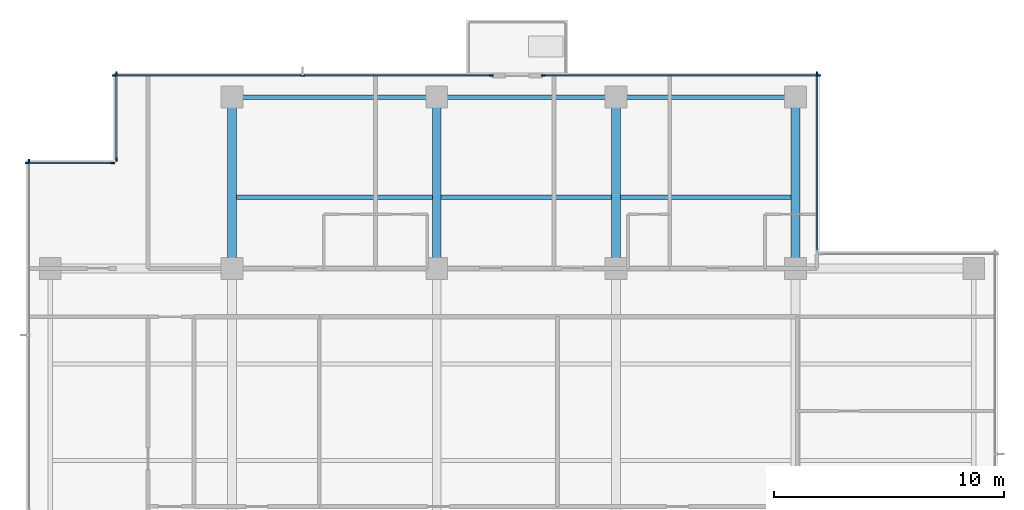
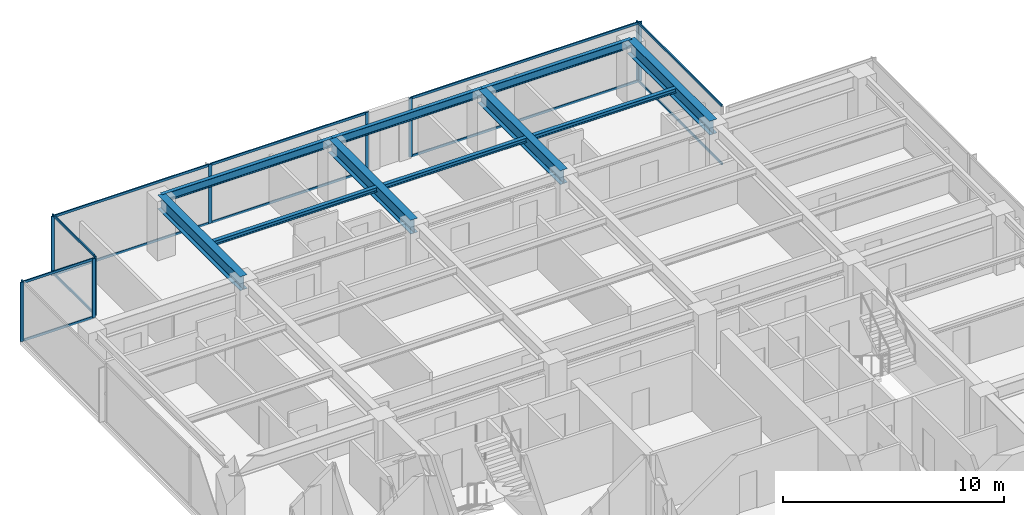
# One storey, part 5 of 15: 23 members, 10 beams, 6 elements without a shape of their own.
"""IFC4 building model written with IfcOpenShell, lengths in metres."""

from ifc_helpers import new_model, si_unit, direction, frame, origin, origin_2d, place, context, subcontext, project, spatial, rectangle, i_section, extrude, material, layer, layer_set, material_profile, profile_set, type_object, element, aggregate, save


model = new_model("IFC4")

# Units and contexts
model_context = context("Model", 3, precision=1e-05, world=origin(), true_north=direction((0.0, 1.0)))
body_context = subcontext(model_context, "Body", "Model", "MODEL_VIEW")
ifc_project = project(units=[si_unit("LENGTHUNIT", "METRE"), si_unit("AREAUNIT", "SQUARE_METRE"), si_unit("VOLUMEUNIT", "CUBIC_METRE"), si_unit("PLANEANGLEUNIT", "RADIAN"), si_unit("MASSUNIT", "GRAM", prefix="KILO")], contexts=[model_context])

# Site, building, storey
site_placement = place(None, origin())
site = spatial("IfcSite", under=ifc_project, at=site_placement, CompositionType="ELEMENT")
building_placement = place(site_placement, origin())
building = spatial("IfcBuilding", under=site, at=building_placement, Name="Qalmaran Belvedere Hotel", CompositionType="ELEMENT")
storey_placement = place(building_placement, frame((0.0, 0.0, 231.89990234375)))
storey = spatial("IfcBuildingStorey", under=building, at=storey_placement, Name="L59", CompositionType="ELEMENT", Elevation=231.89990234375)

# Beams
ifc_material_1 = material(Name="Steel S355JR", Category="steel")
ifc_material_profile_1 = material_profile(ifc_material_1, i_section(OverallWidth=0.201904296875, OverallDepth=0.2470703125, WebThickness=0.00732421875, FlangeThickness=0.010986328125, FilletRadius=0.011962890625, at=origin_2d()), Name="W250X49")
ifc_profile_set_1 = profile_set([ifc_material_profile_1], Name="Steel S355JR")
beam_type_1 = type_object("IfcBeamType", Name="BM-JST-W250X49", PredefinedType="JOIST", material=ifc_profile_set_1)
beam_1_placement = place(storey_placement, frame((20.488525390625, 36.10009765625, 3.13671875), z_axis=(1.0, 0.0, 0.0), x_axis=(0.0, 1.0, 0.0)))
element("IfcBeam", 1, at=beam_1_placement, inside=storey, type_object=beam_type_1, Name="L59 North Floor Joist 042", PredefinedType="JOIST", context=body_context, shape_type="SweptSolid", body=[
    extrude(i_section(OverallWidth=0.201904296875, OverallDepth=0.2470703125, WebThickness=0.00732421875, FlangeThickness=0.010986328125, FilletRadius=0.011962890625, at=origin_2d()), origin(), (0.0, 0.0, 1.0), 8.52294921875),
])
for number, where, z_axis, x_axis, name in (
    (2, (29.388427734375, 36.10009765625, 3.13671875), (1.0, 0.0, 0.0), (0.0, 1.0, 0.0), "L59 North Floor Joist 043"),
    (3, (37.1884765625, 36.10009765625, 3.13671875), (1.0, 0.0, 0.0), (0.0, 1.0, 0.0), "L59 North Floor Joist 044"),
):
    element("IfcBeam", number, at=place(storey_placement, frame(where, z_axis=z_axis, x_axis=x_axis)), inside=storey, type_object=beam_type_1, Name=name, PredefinedType="JOIST", context=body_context, shape_type="SweptSolid", body=[
        extrude(i_section(OverallWidth=0.201904296875, OverallDepth=0.2470703125, WebThickness=0.00732421875, FlangeThickness=0.010986328125, FilletRadius=0.011962890625, at=origin_2d()), origin(), (0.0, 0.0, 1.0), 7.423095703125),
    ])
ifc_material_profile_2 = material_profile(ifc_material_1, i_section(OverallWidth=0.381103515625, OverallDepth=0.77294921875, WebThickness=0.0166015625, FlangeThickness=0.027099609375, FilletRadius=0.02197265625, at=origin_2d()), Name="W760X257")
ifc_profile_set_2 = profile_set([ifc_material_profile_2], Name="Steel S355JR")
beam_type_2 = type_object("IfcBeamType", Name="BM-PG4-W760X257", PredefinedType="USERDEFINED", material=ifc_profile_set_2)
for number, where, z_axis, x_axis, name in (
    (4, (20.300048828125, 33.0, 2.87353515625), (0.0, 1.0, 0.0), (-1.0, 0.0, 0.0), "L59 North Bay Girder 15"),
    (5, (29.199951171875, 33.0, 2.87353515625), (0.0, 1.0, 0.0), (-1.0, 0.0, 0.0), "L59 North Bay Girder 17"),
    (6, (37.0, 33.0, 2.87353515625), (0.0, 1.0, 0.0), (-1.0, 0.0, 0.0), "L59 North Bay Girder 19"),
    (7, (44.800048828125, 33.0, 2.87353515625), (0.0, 1.0, 0.0), (-1.0, 0.0, 0.0), "L59 North Bay Girder 21"),
):
    element("IfcBeam", number, at=place(storey_placement, frame(where, z_axis=z_axis, x_axis=x_axis)), inside=storey, type_object=beam_type_2, Name=name, ObjectType="GIRDER", PredefinedType="USERDEFINED", context=body_context, shape_type="SweptSolid", body=[
        extrude(i_section(OverallWidth=0.381103515625, OverallDepth=0.77294921875, WebThickness=0.0166015625, FlangeThickness=0.027099609375, FilletRadius=0.02197265625, at=origin_2d()), origin(), (0.0, 0.0, 1.0), 7.449951171875),
    ])
ifc_material_profile_3 = material_profile(ifc_material_1, i_section(OverallWidth=0.19189453125, OverallDepth=0.462890625, WebThickness=0.010498046875, FlangeThickness=0.017578125, FilletRadius=0.01611328125, at=origin_2d()), Name="W460X89")
ifc_profile_set_3 = profile_set([ifc_material_profile_3], Name="Steel S355JR")
beam_type_3 = type_object("IfcBeamType", Name="BM-SP2-W460X89", PredefinedType="SPANDREL", material=ifc_profile_set_3)
beam_2_placement = place(storey_placement, frame((20.300048828125, 40.449951171875, 3.028564453125), z_axis=(1.0, 0.0, 0.0), x_axis=(0.0, 1.0, 0.0)))
element("IfcBeam", 8, at=beam_2_placement, inside=storey, type_object=beam_type_3, Name="L59 Perimeter Spandrel 05", PredefinedType="SPANDREL", context=body_context, shape_type="SweptSolid", body=[
    extrude(i_section(OverallWidth=0.19189453125, OverallDepth=0.462890625, WebThickness=0.010498046875, FlangeThickness=0.017578125, FilletRadius=0.01611328125, at=origin_2d()), origin(), (0.0, 0.0, 1.0), 8.89990234375),
])
for number, where, z_axis, x_axis, name in (
    (9, (29.199951171875, 40.449951171875, 3.028564453125), (1.0, 0.0, 0.0), (0.0, 1.0, 0.0), "L59 Perimeter Spandrel 06"),
    (10, (37.0, 40.449951171875, 3.028564453125), (1.0, 0.0, 0.0), (0.0, 1.0, 0.0), "L59 Perimeter Spandrel 07"),
):
    element("IfcBeam", number, at=place(storey_placement, frame(where, z_axis=z_axis, x_axis=x_axis)), inside=storey, type_object=beam_type_3, Name=name, PredefinedType="SPANDREL", context=body_context, shape_type="SweptSolid", body=[
        extrude(i_section(OverallWidth=0.19189453125, OverallDepth=0.462890625, WebThickness=0.010498046875, FlangeThickness=0.017578125, FilletRadius=0.01611328125, at=origin_2d()), origin(), (0.0, 0.0, 1.0), 7.800048828125),
    ])

# Curtain wall, member
ifc_material_2 = material(Name="Anodised Bronze Aluminium", Category="aluminium")
ifc_layer = layer(ifc_material_2, 0.18994140625, Name="Anodised Bronze Aluminium")
ifc_layer_set = layer_set([ifc_layer], Name="Anodised Bronze Aluminium")
curtain_wall_type = type_object("IfcCurtainWallType", Name="CW5-TOWER-UPPER", PredefinedType="NOTDEFINED", material=ifc_layer_set)
curtain_wall_1_placement = place(storey_placement, origin())
curtain_wall_1 = element("IfcCurtainWall", 11, at=curtain_wall_1_placement, inside=storey, type_object=curtain_wall_type, Name="L59 Curtain Wall CW5", PredefinedType="NOTDEFINED")
ifc_material_profile_4 = material_profile(ifc_material_2, rectangle(XDim=0.06494140625, YDim=0.1650390625, at=origin_2d()), Name="CWM65X165")
ifc_profile_set_4 = profile_set([ifc_material_profile_4], Name="Anodised Bronze Aluminium")
member_type_1 = type_object("IfcMemberType", Name="CWM-65X165", PredefinedType="MULLION", material=ifc_profile_set_4)
member_1_placement = place(storey_placement, frame((45.72998046875, 41.467529296875, 0.0), z_axis=(0.0, 0.0, 1.0), x_axis=(-1.0, 0.0, 0.0)))
member_1 = element("IfcMember", 12, at=member_1_placement, type_object=member_type_1, Name="CW5 mullion 2", PredefinedType="MULLION", context=body_context, shape_type="SweptSolid", body=[
    extrude(rectangle(XDim=0.06494140625, YDim=0.1650390625, at=origin_2d()), origin(), (0.0, 0.0, 1.0), 3.260009765625),
])

# Curtain wall, members
curtain_wall_2_placement = place(storey_placement, origin())
curtain_wall_2 = element("IfcCurtainWall", 13, at=curtain_wall_2_placement, inside=storey, type_object=curtain_wall_type, Name="L59 Curtain Wall CW5", PredefinedType="NOTDEFINED")
member_2_placement = place(storey_placement, frame((31.5673828125, 41.3798828125, 0.0), z_axis=(0.0, 0.0, 1.0), x_axis=(0.0, -1.0, 0.0)))
member_2 = element("IfcMember", 14, at=member_2_placement, type_object=member_type_1, Name="CW5 mullion 1", PredefinedType="MULLION", context=body_context, shape_type="SweptSolid", body=[
    extrude(rectangle(XDim=0.06494140625, YDim=0.1650390625, at=origin_2d()), origin(), (0.0, 0.0, 1.0), 3.260009765625),
])
member_3_placement = place(storey_placement, frame((23.375, 41.3798828125, 0.0), z_axis=(0.0, 0.0, 1.0), x_axis=(0.0, -1.0, 0.0)))
member_3 = element("IfcMember", 15, at=member_3_placement, type_object=member_type_1, Name="CW5 mullion 2", PredefinedType="MULLION", context=body_context, shape_type="SweptSolid", body=[
    extrude(rectangle(XDim=0.06494140625, YDim=0.1650390625, at=origin_2d()), origin(), (0.0, 0.0, 1.0), 3.260009765625),
])
member_4_placement = place(storey_placement, frame((15.1826171875, 41.3798828125, 0.0), z_axis=(0.0, 0.0, 1.0), x_axis=(0.0, -1.0, 0.0)))
member_4 = element("IfcMember", 16, at=member_4_placement, type_object=member_type_1, Name="CW5 mullion 3", PredefinedType="MULLION", context=body_context, shape_type="SweptSolid", body=[
    extrude(rectangle(XDim=0.06494140625, YDim=0.1650390625, at=origin_2d()), origin(), (0.0, 0.0, 1.0), 3.260009765625),
])

curtain_wall_3_placement = place(storey_placement, origin())
curtain_wall_3 = element("IfcCurtainWall", 17, at=curtain_wall_3_placement, inside=storey, type_object=curtain_wall_type, Name="L59 Curtain Wall CW5", PredefinedType="NOTDEFINED")
member_5_placement = place(storey_placement, frame((45.8173828125, 41.3798828125, 0.0), z_axis=(0.0, 0.0, 1.0), x_axis=(0.0, -1.0, 0.0)))
member_5 = element("IfcMember", 18, at=member_5_placement, type_object=member_type_1, Name="CW5 mullion 1", PredefinedType="MULLION", context=body_context, shape_type="SweptSolid", body=[
    extrude(rectangle(XDim=0.06494140625, YDim=0.1650390625, at=origin_2d()), origin(), (0.0, 0.0, 1.0), 3.260009765625),
])
member_6_placement = place(storey_placement, frame((33.83251953125, 41.3798828125, 0.0), z_axis=(0.0, 0.0, 1.0), x_axis=(0.0, -1.0, 0.0)))
member_6 = element("IfcMember", 19, at=member_6_placement, type_object=member_type_1, Name="CW5 mullion 2", PredefinedType="MULLION", context=body_context, shape_type="SweptSolid", body=[
    extrude(rectangle(XDim=0.06494140625, YDim=0.1650390625, at=origin_2d()), origin(), (0.0, 0.0, 1.0), 3.260009765625),
])

curtain_wall_4_placement = place(storey_placement, origin())
curtain_wall_4 = element("IfcCurtainWall", 20, at=curtain_wall_4_placement, inside=storey, type_object=curtain_wall_type, Name="L59 Curtain Wall CW5", PredefinedType="NOTDEFINED")
member_7_placement = place(storey_placement, frame((15.27001953125, 41.467529296875, 0.0), z_axis=(0.0, 0.0, 1.0), x_axis=(1.0, 0.0, 0.0)))
member_7 = element("IfcMember", 21, at=member_7_placement, type_object=member_type_1, Name="CW5 mullion 1", PredefinedType="MULLION", context=body_context, shape_type="SweptSolid", body=[
    extrude(rectangle(XDim=0.06494140625, YDim=0.1650390625, at=origin_2d()), origin(), (0.0, 0.0, 1.0), 3.260009765625),
])
member_8_placement = place(storey_placement, frame((15.27001953125, 37.732421875, 0.0), z_axis=(0.0, 0.0, 1.0), x_axis=(1.0, 0.0, 0.0)))
member_8 = element("IfcMember", 22, at=member_8_placement, type_object=member_type_1, Name="CW5 mullion 2", PredefinedType="MULLION", context=body_context, shape_type="SweptSolid", body=[
    extrude(rectangle(XDim=0.06494140625, YDim=0.1650390625, at=origin_2d()), origin(), (0.0, 0.0, 1.0), 3.260009765625),
])

curtain_wall_5_placement = place(storey_placement, origin())
curtain_wall_5 = element("IfcCurtainWall", 23, at=curtain_wall_5_placement, inside=storey, type_object=curtain_wall_type, Name="L59 Curtain Wall CW5", PredefinedType="NOTDEFINED")
member_9_placement = place(storey_placement, frame((15.117431640625, 37.580078125, 0.0), z_axis=(0.0, 0.0, 1.0), x_axis=(0.0, -1.0, 0.0)))
member_9 = element("IfcMember", 24, at=member_9_placement, type_object=member_type_1, Name="CW5 mullion 1", PredefinedType="MULLION", context=body_context, shape_type="SweptSolid", body=[
    extrude(rectangle(XDim=0.06494140625, YDim=0.1650390625, at=origin_2d()), origin(), (0.0, 0.0, 1.0), 3.260009765625),
])
member_10_placement = place(storey_placement, frame((11.382568359375, 37.580078125, 0.0), z_axis=(0.0, 0.0, 1.0), x_axis=(0.0, -1.0, 0.0)))
member_10 = element("IfcMember", 25, at=member_10_placement, type_object=member_type_1, Name="CW5 mullion 2", PredefinedType="MULLION", context=body_context, shape_type="SweptSolid", body=[
    extrude(rectangle(XDim=0.06494140625, YDim=0.1650390625, at=origin_2d()), origin(), (0.0, 0.0, 1.0), 3.260009765625),
])

# Curtain wall, member
curtain_wall_6_placement = place(storey_placement, origin())
curtain_wall_6 = element("IfcCurtainWall", 26, at=curtain_wall_6_placement, inside=storey, type_object=curtain_wall_type, Name="L59 Curtain Wall CW5", PredefinedType="NOTDEFINED")
member_11_placement = place(storey_placement, frame((11.469970703125, 37.66748046875, 0.0), z_axis=(0.0, 0.0, 1.0), x_axis=(1.0, 0.0, 0.0)))
member_11 = element("IfcMember", 27, at=member_11_placement, type_object=member_type_1, Name="CW5 mullion 1", PredefinedType="MULLION", context=body_context, shape_type="SweptSolid", body=[
    extrude(rectangle(XDim=0.06494140625, YDim=0.1650390625, at=origin_2d()), origin(), (0.0, 0.0, 1.0), 3.260009765625),
])
aggregate(curtain_wall_6, [member_11])

# Member
ifc_material_profile_5 = material_profile(ifc_material_2, rectangle(XDim=0.06494140625, YDim=0.1298828125, at=origin_2d()), Name="CWT65X130")
ifc_profile_set_5 = profile_set([ifc_material_profile_5], Name="Anodised Bronze Aluminium")
member_type_2 = type_object("IfcMemberType", Name="CWT-65X130", PredefinedType="USERDEFINED", material=ifc_profile_set_5)
member_12_placement = place(storey_placement, frame((45.72998046875, 33.81494140625, 0.03271484375), z_axis=(0.0, 1.0, 0.0), x_axis=(-1.0, 0.0, 0.0)))
member_12 = element("IfcMember", 28, at=member_12_placement, type_object=member_type_2, Name="CW5 transom 1.1", ObjectType="TRANSOM", PredefinedType="USERDEFINED", context=body_context, shape_type="SweptSolid", body=[
    extrude(rectangle(XDim=0.06494140625, YDim=0.1298828125, at=origin_2d()), origin(), (0.0, 0.0, 1.0), 7.6201171875),
])

member_13_placement = place(storey_placement, frame((45.72998046875, 33.81494140625, 3.2275390625), z_axis=(0.0, 1.0, 0.0), x_axis=(-1.0, 0.0, 0.0)))
member_13 = element("IfcMember", 29, at=member_13_placement, type_object=member_type_2, Name="CW5 transom 1.2", ObjectType="TRANSOM", PredefinedType="USERDEFINED", context=body_context, shape_type="SweptSolid", body=[
    extrude(rectangle(XDim=0.06494140625, YDim=0.1298828125, at=origin_2d()), origin(), (0.0, 0.0, 1.0), 7.6201171875),
])

aggregate(curtain_wall_1, [member_1, member_12, member_13])

member_14_placement = place(storey_placement, frame((31.534912109375, 41.3798828125, 0.03271484375), z_axis=(-1.0, 0.0, 0.0), x_axis=(0.0, -1.0, 0.0)))
member_14 = element("IfcMember", 30, at=member_14_placement, type_object=member_type_2, Name="CW5 transom 1.1", ObjectType="TRANSOM", PredefinedType="USERDEFINED", context=body_context, shape_type="SweptSolid", body=[
    extrude(rectangle(XDim=0.06494140625, YDim=0.1298828125, at=origin_2d()), origin(), (0.0, 0.0, 1.0), 8.12744140625),
])

member_15_placement = place(storey_placement, frame((31.534912109375, 41.3798828125, 3.2275390625), z_axis=(-1.0, 0.0, 0.0), x_axis=(0.0, -1.0, 0.0)))
member_15 = element("IfcMember", 31, at=member_15_placement, type_object=member_type_2, Name="CW5 transom 1.2", ObjectType="TRANSOM", PredefinedType="USERDEFINED", context=body_context, shape_type="SweptSolid", body=[
    extrude(rectangle(XDim=0.06494140625, YDim=0.1298828125, at=origin_2d()), origin(), (0.0, 0.0, 1.0), 8.12744140625),
])

member_16_placement = place(storey_placement, frame((23.342529296875, 41.3798828125, 0.03271484375), z_axis=(-1.0, 0.0, 0.0), x_axis=(0.0, -1.0, 0.0)))
member_16 = element("IfcMember", 32, at=member_16_placement, type_object=member_type_2, Name="CW5 transom 2.1", ObjectType="TRANSOM", PredefinedType="USERDEFINED", context=body_context, shape_type="SweptSolid", body=[
    extrude(rectangle(XDim=0.06494140625, YDim=0.1298828125, at=origin_2d()), origin(), (0.0, 0.0, 1.0), 8.12744140625),
])

member_17_placement = place(storey_placement, frame((23.342529296875, 41.3798828125, 3.2275390625), z_axis=(-1.0, 0.0, 0.0), x_axis=(0.0, -1.0, 0.0)))
member_17 = element("IfcMember", 33, at=member_17_placement, type_object=member_type_2, Name="CW5 transom 2.2", ObjectType="TRANSOM", PredefinedType="USERDEFINED", context=body_context, shape_type="SweptSolid", body=[
    extrude(rectangle(XDim=0.06494140625, YDim=0.1298828125, at=origin_2d()), origin(), (0.0, 0.0, 1.0), 8.12744140625),
])

aggregate(curtain_wall_2, [member_2, member_3, member_4, member_14, member_15, member_16, member_17])

member_18_placement = place(storey_placement, frame((45.784912109375, 41.3798828125, 0.03271484375), z_axis=(-1.0, 0.0, 0.0), x_axis=(0.0, -1.0, 0.0)))
member_18 = element("IfcMember", 34, at=member_18_placement, type_object=member_type_2, Name="CW5 transom 1.1", ObjectType="TRANSOM", PredefinedType="USERDEFINED", context=body_context, shape_type="SweptSolid", body=[
    extrude(rectangle(XDim=0.06494140625, YDim=0.1298828125, at=origin_2d()), origin(), (0.0, 0.0, 1.0), 11.919921875),
])

member_19_placement = place(storey_placement, frame((45.784912109375, 41.3798828125, 3.2275390625), z_axis=(-1.0, 0.0, 0.0), x_axis=(0.0, -1.0, 0.0)))
member_19 = element("IfcMember", 35, at=member_19_placement, type_object=member_type_2, Name="CW5 transom 1.2", ObjectType="TRANSOM", PredefinedType="USERDEFINED", context=body_context, shape_type="SweptSolid", body=[
    extrude(rectangle(XDim=0.06494140625, YDim=0.1298828125, at=origin_2d()), origin(), (0.0, 0.0, 1.0), 11.919921875),
])

aggregate(curtain_wall_3, [member_5, member_6, member_18, member_19])

member_20_placement = place(storey_placement, frame((15.27001953125, 41.43505859375, 0.03271484375), z_axis=(0.0, -1.0, 0.0), x_axis=(1.0, 0.0, 0.0)))
member_20 = element("IfcMember", 36, at=member_20_placement, type_object=member_type_2, Name="CW5 transom 1.1", ObjectType="TRANSOM", PredefinedType="USERDEFINED", context=body_context, shape_type="SweptSolid", body=[
    extrude(rectangle(XDim=0.06494140625, YDim=0.1298828125, at=origin_2d()), origin(), (0.0, 0.0, 1.0), 3.670166015625),
])

member_21_placement = place(storey_placement, frame((15.27001953125, 41.43505859375, 3.2275390625), z_axis=(0.0, -1.0, 0.0), x_axis=(1.0, 0.0, 0.0)))
member_21 = element("IfcMember", 37, at=member_21_placement, type_object=member_type_2, Name="CW5 transom 1.2", ObjectType="TRANSOM", PredefinedType="USERDEFINED", context=body_context, shape_type="SweptSolid", body=[
    extrude(rectangle(XDim=0.06494140625, YDim=0.1298828125, at=origin_2d()), origin(), (0.0, 0.0, 1.0), 3.670166015625),
])

aggregate(curtain_wall_4, [member_7, member_8, member_20, member_21])

member_22_placement = place(storey_placement, frame((15.0849609375, 37.580078125, 0.03271484375), z_axis=(-1.0, 0.0, 0.0), x_axis=(0.0, -1.0, 0.0)))
member_22 = element("IfcMember", 38, at=member_22_placement, type_object=member_type_2, Name="CW5 transom 1.1", ObjectType="TRANSOM", PredefinedType="USERDEFINED", context=body_context, shape_type="SweptSolid", body=[
    extrude(rectangle(XDim=0.06494140625, YDim=0.1298828125, at=origin_2d()), origin(), (0.0, 0.0, 1.0), 3.669921875),
])

member_23_placement = place(storey_placement, frame((15.0849609375, 37.580078125, 3.2275390625), z_axis=(-1.0, 0.0, 0.0), x_axis=(0.0, -1.0, 0.0)))
member_23 = element("IfcMember", 39, at=member_23_placement, type_object=member_type_2, Name="CW5 transom 1.2", ObjectType="TRANSOM", PredefinedType="USERDEFINED", context=body_context, shape_type="SweptSolid", body=[
    extrude(rectangle(XDim=0.06494140625, YDim=0.1298828125, at=origin_2d()), origin(), (0.0, 0.0, 1.0), 3.669921875),
])

aggregate(curtain_wall_5, [member_9, member_10, member_22, member_23])

save(model, "model.ifc")
